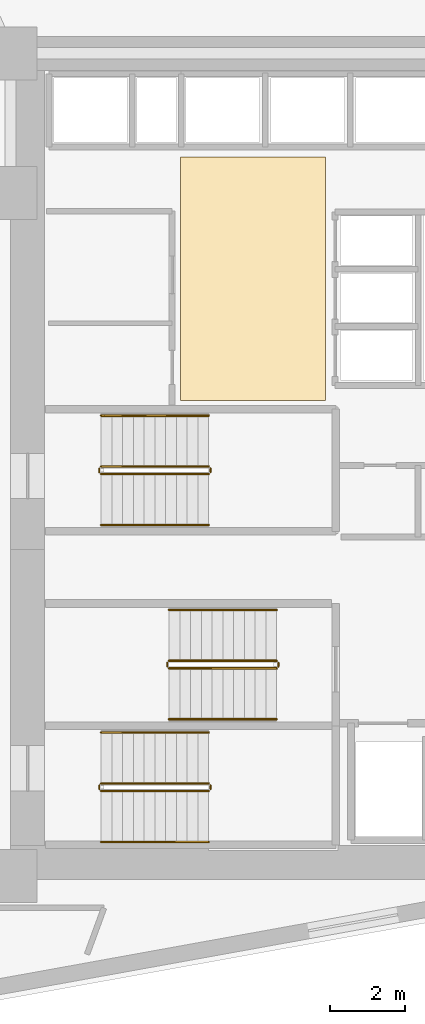
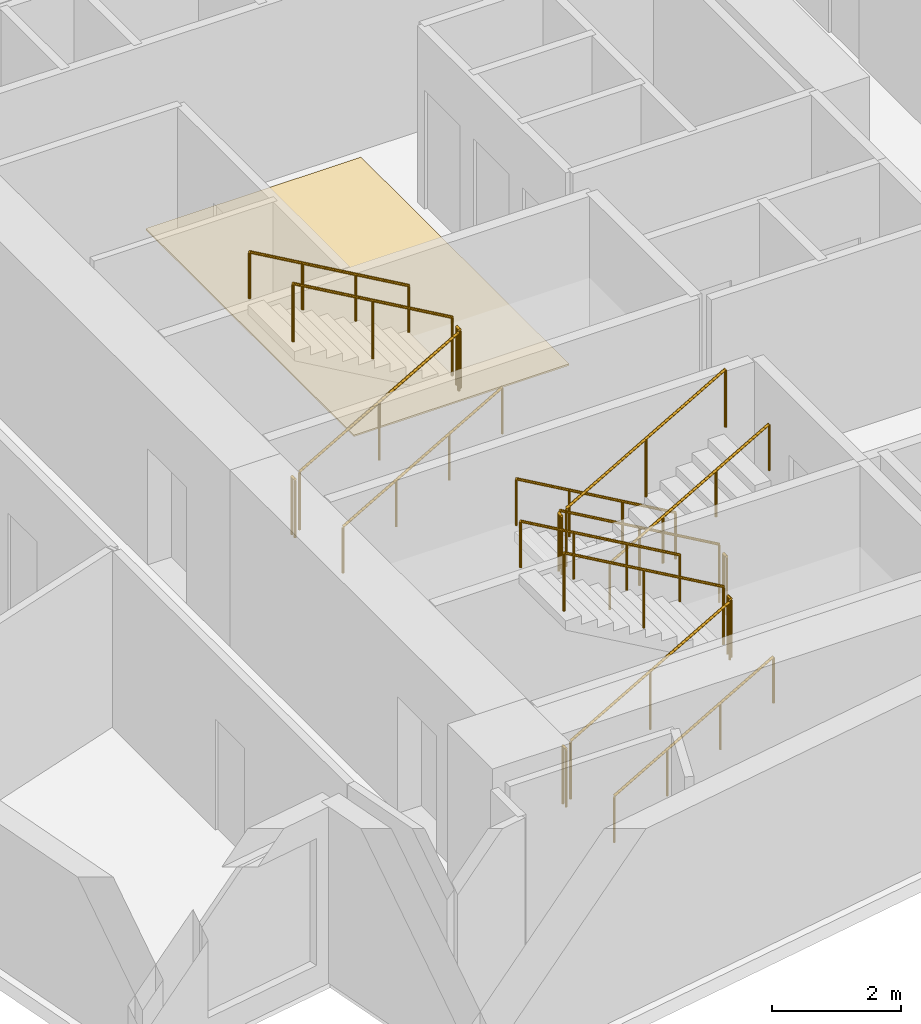
# One storey, part 17 of 18: 18 railings, 1 covering.
"""IFC4 building model written with IfcOpenShell, lengths in metres."""

from ifc_helpers import new_model, si_unit, direction, frame, origin, origin_2d, place, context, subcontext, project, spatial, polyline, circle, outline, extrude, material, layer, layer_set, type_object, element, save


model = new_model("IFC4")

# Units and contexts
model_context = context("Model", 3, precision=1e-05, world=origin(), true_north=direction((0.0, 1.0)))
body_context = subcontext(model_context, "Body", "Model", "MODEL_VIEW")
ifc_project = project(units=[si_unit("LENGTHUNIT", "METRE"), si_unit("AREAUNIT", "SQUARE_METRE"), si_unit("VOLUMEUNIT", "CUBIC_METRE"), si_unit("PLANEANGLEUNIT", "RADIAN"), si_unit("MASSUNIT", "GRAM", prefix="KILO")], contexts=[model_context])

# Site, building, storey
site_placement = place(None, origin())
site = spatial("IfcSite", under=ifc_project, at=site_placement, CompositionType="ELEMENT")
building_placement = place(site_placement, origin())
building = spatial("IfcBuilding", under=site, at=building_placement, Name="Narakoshi Arena Tower", CompositionType="ELEMENT")
storey_placement = place(building_placement, frame((0.0, 0.0, 99.300048828125)))
storey = spatial("IfcBuildingStorey", under=building, at=storey_placement, Name="L26", CompositionType="ELEMENT", Elevation=99.300048828125)

# Covering
ifc_material_1 = material(Name="Honed granite stone paving", Category="masonry")
ifc_layer = layer(ifc_material_1, 0.030029296875)
ifc_layer_set = layer_set([ifc_layer], Name="Honed granite stone paving")
covering_type = type_object("IfcCoveringType", Name="COV-FLR-ST30", PredefinedType="FLOORING", material=ifc_layer_set)
covering_placement = place(storey_placement, origin())
element("IfcCovering", 1, at=covering_placement, inside=storey, type_object=covering_type, Name="L26 Lift Lobby Granite Flooring", PredefinedType="FLOORING", context=body_context, shape_type="SweptSolid", body=[
    extrude(outline(polyline([(76.5, 47.300048828125), (80.35009765625, 47.300048828125), (80.35009765625, 53.75), (76.5, 53.75), (76.5, 47.300048828125)])), origin(), (0.0, 0.0, 1.0), 0.030029296875),
])

# Railings
ifc_material_2 = material(Name="Clear low-iron laminated structural glass", Category="glass")
railing_type_1 = type_object("IfcRailingType", Name="RL-BAL-1100", PredefinedType="BALUSTRADE", material=ifc_material_2)
railing_1_placement = place(storey_placement, frame((74.39990234375, 36.949951171875, 0.16357421875)))
element("IfcRailing", 2, at=railing_1_placement, inside=storey, type_object=railing_type_1, Name="L26 ST1 stair guard 1", PredefinedType="BALUSTRADE", context=body_context, shape_type="SweptSolid", body=[
    extrude(circle(Radius=0.02392578125, at=origin_2d()), frame((0.0, 0.0, 1.09619140625), z_axis=(0.86721270334, 0.0, 0.497937874806), x_axis=(0.0, 1.0, 0.0)), (0.0, 0.0, 1.0), 3.28662109375),
    extrude(circle(Radius=0.02099609375, at=origin_2d()), origin(), (0.0, 0.0, 1.0), 1.072021484375),
    extrude(circle(Radius=0.02099609375, at=origin_2d()), frame((1.425048828125, 0.0, 0.818359375)), (0.0, 0.0, 1.0), 1.072021484375),
    extrude(circle(Radius=0.02099609375, at=origin_2d()), frame((2.85009765625, 0.0, 1.636474609375)), (0.0, 0.0, 1.0), 1.072021484375),
])
railing_2_placement = place(storey_placement, frame((77.300048828125, 37.0, 1.800048828125)))
element("IfcRailing", 3, at=railing_2_placement, inside=storey, type_object=railing_type_1, Name="L26 ST1 stair guard 2", PredefinedType="BALUSTRADE", context=body_context, shape_type="SweptSolid", body=[
    extrude(circle(Radius=0.02392578125, at=origin_2d()), frame((0.0, 0.0, 1.09619140625), z_axis=(0.0, 1.0, 0.0), x_axis=(-1.0, 0.0, 0.0)), (0.0, 0.0, 1.0), 0.10009765625),
    extrude(circle(Radius=0.02099609375, at=origin_2d()), origin(), (0.0, 0.0, 1.0), 1.072021484375),
    extrude(circle(Radius=0.02099609375, at=origin_2d()), frame((0.0, 0.10009765625, 0.0)), (0.0, 0.0, 1.0), 1.072021484375),
])
railing_3_placement = place(storey_placement, frame((77.25, 37.14990234375, 1.963623046875)))
element("IfcRailing", 4, at=railing_3_placement, inside=storey, type_object=railing_type_1, Name="L26 ST1 stair guard 3", PredefinedType="BALUSTRADE", context=body_context, shape_type="SweptSolid", body=[
    extrude(circle(Radius=0.02392578125, at=origin_2d()), frame((0.0, 0.0, 1.09619140625), z_axis=(-0.867244780686, 0.0, 0.497882004468), x_axis=(0.0, -1.0, 0.0)), (0.0, 0.0, 1.0), 3.286376953125),
    extrude(circle(Radius=0.02099609375, at=origin_2d()), origin(), (0.0, 0.0, 1.0), 1.072021484375),
    extrude(circle(Radius=0.02099609375, at=origin_2d()), frame((-1.425048828125, 0.0, 0.818115234375)), (0.0, 0.0, 1.0), 1.072021484375),
    extrude(circle(Radius=0.02099609375, at=origin_2d()), frame((-2.85009765625, 0.0, 1.63623046875)), (0.0, 0.0, 1.0), 1.072021484375),
])
railing_4_placement = place(storey_placement, frame((74.35009765625, 37.0, 0.0)))
element("IfcRailing", 5, at=railing_4_placement, inside=storey, type_object=railing_type_1, Name="L26 ST1 stair guard 4", PredefinedType="BALUSTRADE", context=body_context, shape_type="SweptSolid", body=[
    extrude(circle(Radius=0.02392578125, at=origin_2d()), frame((0.0, 0.0, 1.09619140625), z_axis=(0.0, 1.0, 0.0), x_axis=(-1.0, 0.0, 0.0)), (0.0, 0.0, 1.0), 0.10009765625),
    extrude(circle(Radius=0.02099609375, at=origin_2d()), origin(), (0.0, 0.0, 1.0), 1.072021484375),
    extrude(circle(Radius=0.02099609375, at=origin_2d()), frame((0.0, 0.10009765625, 0.0)), (0.0, 0.0, 1.0), 1.072021484375),
])
railing_5_placement = place(storey_placement, frame((79.050048828125, 40.39990234375, 0.16357421875)))
element("IfcRailing", 6, at=railing_5_placement, inside=storey, type_object=railing_type_1, Name="L26 ST2 stair guard 1", PredefinedType="BALUSTRADE", context=body_context, shape_type="SweptSolid", body=[
    extrude(circle(Radius=0.02392578125, at=origin_2d()), frame((0.0, 0.0, 1.09619140625), z_axis=(-0.86721270334, 0.0, 0.497937874806), x_axis=(0.0, -1.0, 0.0)), (0.0, 0.0, 1.0), 3.28662109375),
    extrude(circle(Radius=0.02099609375, at=origin_2d()), origin(), (0.0, 0.0, 1.0), 1.072021484375),
    extrude(circle(Radius=0.02099609375, at=origin_2d()), frame((-1.425048828125, 0.0, 0.818359375)), (0.0, 0.0, 1.0), 1.072021484375),
    extrude(circle(Radius=0.02099609375, at=origin_2d()), frame((-2.85009765625, 0.0, 1.636474609375)), (0.0, 0.0, 1.0), 1.072021484375),
])
railing_6_placement = place(storey_placement, frame((76.14990234375, 40.35009765625, 1.800048828125)))
element("IfcRailing", 7, at=railing_6_placement, inside=storey, type_object=railing_type_1, Name="L26 ST2 stair guard 2", PredefinedType="BALUSTRADE", context=body_context, shape_type="SweptSolid", body=[
    extrude(circle(Radius=0.02392578125, at=origin_2d()), frame((0.0, 0.0, 1.09619140625), z_axis=(0.0, -1.0, 0.0), x_axis=(1.0, 0.0, 0.0)), (0.0, 0.0, 1.0), 0.10009765625),
    extrude(circle(Radius=0.02099609375, at=origin_2d()), origin(), (0.0, 0.0, 1.0), 1.072021484375),
    extrude(circle(Radius=0.02099609375, at=origin_2d()), frame((0.0, -0.10009765625, 0.0)), (0.0, 0.0, 1.0), 1.072021484375),
])
railing_7_placement = place(storey_placement, frame((76.199951171875, 40.199951171875, 1.963623046875)))
element("IfcRailing", 8, at=railing_7_placement, inside=storey, type_object=railing_type_1, Name="L26 ST2 stair guard 3", PredefinedType="BALUSTRADE", context=body_context, shape_type="SweptSolid", body=[
    extrude(circle(Radius=0.02392578125, at=origin_2d()), frame((0.0, 0.0, 1.09619140625), z_axis=(0.867244780686, 0.0, 0.497882004468), x_axis=(0.0, 1.0, 0.0)), (0.0, 0.0, 1.0), 3.286376953125),
    extrude(circle(Radius=0.02099609375, at=origin_2d()), origin(), (0.0, 0.0, 1.0), 1.072021484375),
    extrude(circle(Radius=0.02099609375, at=origin_2d()), frame((1.425048828125, 0.0, 0.818115234375)), (0.0, 0.0, 1.0), 1.072021484375),
    extrude(circle(Radius=0.02099609375, at=origin_2d()), frame((2.85009765625, 0.0, 1.63623046875)), (0.0, 0.0, 1.0), 1.072021484375),
])
railing_8_placement = place(storey_placement, frame((79.10009765625, 40.35009765625, 0.0)))
element("IfcRailing", 9, at=railing_8_placement, inside=storey, type_object=railing_type_1, Name="L26 ST2 stair guard 4", PredefinedType="BALUSTRADE", context=body_context, shape_type="SweptSolid", body=[
    extrude(circle(Radius=0.02392578125, at=origin_2d()), frame((0.0, 0.0, 1.09619140625), z_axis=(0.0, -1.0, 0.0), x_axis=(1.0, 0.0, 0.0)), (0.0, 0.0, 1.0), 0.10009765625),
    extrude(circle(Radius=0.02099609375, at=origin_2d()), origin(), (0.0, 0.0, 1.0), 1.072021484375),
    extrude(circle(Radius=0.02099609375, at=origin_2d()), frame((0.0, -0.10009765625, 0.0)), (0.0, 0.0, 1.0), 1.072021484375),
])
railing_9_placement = place(storey_placement, frame((74.39990234375, 45.35009765625, 0.16357421875)))
element("IfcRailing", 10, at=railing_9_placement, inside=storey, type_object=railing_type_1, Name="L26 ST3 stair guard 1", PredefinedType="BALUSTRADE", context=body_context, shape_type="SweptSolid", body=[
    extrude(circle(Radius=0.02392578125, at=origin_2d()), frame((0.0, 0.0, 1.09619140625), z_axis=(0.86721270334, 0.0, 0.497937874806), x_axis=(0.0, 1.0, 0.0)), (0.0, 0.0, 1.0), 3.28662109375),
    extrude(circle(Radius=0.02099609375, at=origin_2d()), origin(), (0.0, 0.0, 1.0), 1.072021484375),
    extrude(circle(Radius=0.02099609375, at=origin_2d()), frame((1.425048828125, 0.0, 0.818359375)), (0.0, 0.0, 1.0), 1.072021484375),
    extrude(circle(Radius=0.02099609375, at=origin_2d()), frame((2.85009765625, 0.0, 1.636474609375)), (0.0, 0.0, 1.0), 1.072021484375),
])
railing_10_placement = place(storey_placement, frame((77.300048828125, 45.39990234375, 1.800048828125)))
element("IfcRailing", 11, at=railing_10_placement, inside=storey, type_object=railing_type_1, Name="L26 ST3 stair guard 2", PredefinedType="BALUSTRADE", context=body_context, shape_type="SweptSolid", body=[
    extrude(circle(Radius=0.02392578125, at=origin_2d()), frame((0.0, 0.0, 1.09619140625), z_axis=(0.0, 1.0, 0.0), x_axis=(-1.0, 0.0, 0.0)), (0.0, 0.0, 1.0), 0.10009765625),
    extrude(circle(Radius=0.02099609375, at=origin_2d()), origin(), (0.0, 0.0, 1.0), 1.072021484375),
    extrude(circle(Radius=0.02099609375, at=origin_2d()), frame((0.0, 0.10009765625, 0.0)), (0.0, 0.0, 1.0), 1.072021484375),
])
railing_11_placement = place(storey_placement, frame((77.25, 45.550048828125, 1.963623046875)))
element("IfcRailing", 12, at=railing_11_placement, inside=storey, type_object=railing_type_1, Name="L26 ST3 stair guard 3", PredefinedType="BALUSTRADE", context=body_context, shape_type="SweptSolid", body=[
    extrude(circle(Radius=0.02392578125, at=origin_2d()), frame((0.0, 0.0, 1.09619140625), z_axis=(-0.867244780686, 0.0, 0.497882004468), x_axis=(0.0, -1.0, 0.0)), (0.0, 0.0, 1.0), 3.286376953125),
    extrude(circle(Radius=0.02099609375, at=origin_2d()), origin(), (0.0, 0.0, 1.0), 1.072021484375),
    extrude(circle(Radius=0.02099609375, at=origin_2d()), frame((-1.425048828125, 0.0, 0.818115234375)), (0.0, 0.0, 1.0), 1.072021484375),
    extrude(circle(Radius=0.02099609375, at=origin_2d()), frame((-2.85009765625, 0.0, 1.63623046875)), (0.0, 0.0, 1.0), 1.072021484375),
])
railing_12_placement = place(storey_placement, frame((74.35009765625, 45.39990234375, 0.0)))
element("IfcRailing", 13, at=railing_12_placement, inside=storey, type_object=railing_type_1, Name="L26 ST3 stair guard 4", PredefinedType="BALUSTRADE", context=body_context, shape_type="SweptSolid", body=[
    extrude(circle(Radius=0.02392578125, at=origin_2d()), frame((0.0, 0.0, 1.09619140625), z_axis=(0.0, 1.0, 0.0), x_axis=(-1.0, 0.0, 0.0)), (0.0, 0.0, 1.0), 0.10009765625),
    extrude(circle(Radius=0.02099609375, at=origin_2d()), origin(), (0.0, 0.0, 1.0), 1.072021484375),
    extrude(circle(Radius=0.02099609375, at=origin_2d()), frame((0.0, 0.10009765625, 0.0)), (0.0, 0.0, 1.0), 1.072021484375),
])
ifc_material_3 = material(Name="Brushed bronze stainless steel", Category="steel")
railing_type_2 = type_object("IfcRailingType", Name="RL-HND-900", PredefinedType="HANDRAIL", material=ifc_material_3)
railing_13_placement = place(storey_placement, frame((74.39990234375, 35.60009765625, 0.16357421875)))
element("IfcRailing", 14, at=railing_13_placement, inside=storey, type_object=railing_type_2, Name="L26 ST1 stair handrail 1", PredefinedType="HANDRAIL", context=body_context, shape_type="SweptSolid", body=[
    extrude(circle(Radius=0.02392578125, at=origin_2d()), frame((0.0, 0.0, 0.8759765625), z_axis=(0.86721270334, 0.0, 0.497937874806), x_axis=(0.0, 1.0, 0.0)), (0.0, 0.0, 1.0), 3.28662109375),
    extrude(circle(Radius=0.02099609375, at=origin_2d()), origin(), (0.0, 0.0, 1.0), 0.851806640625),
    extrude(circle(Radius=0.02099609375, at=origin_2d()), frame((0.949951171875, 0.0, 0.54541015625)), (0.0, 0.0, 1.0), 0.851806640625),
    extrude(circle(Radius=0.02099609375, at=origin_2d()), frame((1.900146484375, 0.0, 1.091064453125)), (0.0, 0.0, 1.0), 0.851806640625),
    extrude(circle(Radius=0.02099609375, at=origin_2d()), frame((2.85009765625, 0.0, 1.636474609375)), (0.0, 0.0, 1.0), 0.851806640625),
])
railing_14_placement = place(storey_placement, frame((77.25, 38.5, 1.963623046875)))
element("IfcRailing", 15, at=railing_14_placement, inside=storey, type_object=railing_type_2, Name="L26 ST1 stair handrail 2", PredefinedType="HANDRAIL", context=body_context, shape_type="SweptSolid", body=[
    extrude(circle(Radius=0.02392578125, at=origin_2d()), frame((0.0, 0.0, 0.8759765625), z_axis=(-0.867244780686, 0.0, 0.497882004468), x_axis=(0.0, -1.0, 0.0)), (0.0, 0.0, 1.0), 3.286376953125),
    extrude(circle(Radius=0.02099609375, at=origin_2d()), origin(), (0.0, 0.0, 1.0), 0.851806640625),
    extrude(circle(Radius=0.02099609375, at=origin_2d()), frame((-0.949951171875, 0.0, 0.54541015625)), (0.0, 0.0, 1.0), 0.851806640625),
    extrude(circle(Radius=0.02099609375, at=origin_2d()), frame((-1.900146484375, 0.0, 1.0908203125)), (0.0, 0.0, 1.0), 0.851806640625),
    extrude(circle(Radius=0.02099609375, at=origin_2d()), frame((-2.85009765625, 0.0, 1.63623046875)), (0.0, 0.0, 1.0), 0.851806640625),
])
railing_15_placement = place(storey_placement, frame((79.050048828125, 41.75, 0.16357421875)))
element("IfcRailing", 16, at=railing_15_placement, inside=storey, type_object=railing_type_2, Name="L26 ST2 stair handrail 1", PredefinedType="HANDRAIL", context=body_context, shape_type="SweptSolid", body=[
    extrude(circle(Radius=0.02392578125, at=origin_2d()), frame((0.0, 0.0, 0.8759765625), z_axis=(-0.86721270334, 0.0, 0.497937874806), x_axis=(0.0, -1.0, 0.0)), (0.0, 0.0, 1.0), 3.28662109375),
    extrude(circle(Radius=0.02099609375, at=origin_2d()), origin(), (0.0, 0.0, 1.0), 0.851806640625),
    extrude(circle(Radius=0.02099609375, at=origin_2d()), frame((-0.949951171875, 0.0, 0.54541015625)), (0.0, 0.0, 1.0), 0.851806640625),
    extrude(circle(Radius=0.02099609375, at=origin_2d()), frame((-1.900146484375, 0.0, 1.091064453125)), (0.0, 0.0, 1.0), 0.851806640625),
    extrude(circle(Radius=0.02099609375, at=origin_2d()), frame((-2.85009765625, 0.0, 1.636474609375)), (0.0, 0.0, 1.0), 0.851806640625),
])
railing_16_placement = place(storey_placement, frame((76.199951171875, 38.85009765625, 1.963623046875)))
element("IfcRailing", 17, at=railing_16_placement, inside=storey, type_object=railing_type_2, Name="L26 ST2 stair handrail 2", PredefinedType="HANDRAIL", context=body_context, shape_type="SweptSolid", body=[
    extrude(circle(Radius=0.02392578125, at=origin_2d()), frame((0.0, 0.0, 0.8759765625), z_axis=(0.867244780686, 0.0, 0.497882004468), x_axis=(0.0, 1.0, 0.0)), (0.0, 0.0, 1.0), 3.286376953125),
    extrude(circle(Radius=0.02099609375, at=origin_2d()), origin(), (0.0, 0.0, 1.0), 0.851806640625),
    extrude(circle(Radius=0.02099609375, at=origin_2d()), frame((0.949951171875, 0.0, 0.54541015625)), (0.0, 0.0, 1.0), 0.851806640625),
    extrude(circle(Radius=0.02099609375, at=origin_2d()), frame((1.900146484375, 0.0, 1.0908203125)), (0.0, 0.0, 1.0), 0.851806640625),
    extrude(circle(Radius=0.02099609375, at=origin_2d()), frame((2.85009765625, 0.0, 1.63623046875)), (0.0, 0.0, 1.0), 0.851806640625),
])
railing_17_placement = place(storey_placement, frame((74.39990234375, 44.0, 0.16357421875)))
element("IfcRailing", 18, at=railing_17_placement, inside=storey, type_object=railing_type_2, Name="L26 ST3 stair handrail 1", PredefinedType="HANDRAIL", context=body_context, shape_type="SweptSolid", body=[
    extrude(circle(Radius=0.02392578125, at=origin_2d()), frame((0.0, 0.0, 0.8759765625), z_axis=(0.86721270334, 0.0, 0.497937874806), x_axis=(0.0, 1.0, 0.0)), (0.0, 0.0, 1.0), 3.28662109375),
    extrude(circle(Radius=0.02099609375, at=origin_2d()), origin(), (0.0, 0.0, 1.0), 0.851806640625),
    extrude(circle(Radius=0.02099609375, at=origin_2d()), frame((0.949951171875, 0.0, 0.54541015625)), (0.0, 0.0, 1.0), 0.851806640625),
    extrude(circle(Radius=0.02099609375, at=origin_2d()), frame((1.900146484375, 0.0, 1.091064453125)), (0.0, 0.0, 1.0), 0.851806640625),
    extrude(circle(Radius=0.02099609375, at=origin_2d()), frame((2.85009765625, 0.0, 1.636474609375)), (0.0, 0.0, 1.0), 0.851806640625),
])
railing_18_placement = place(storey_placement, frame((77.25, 46.89990234375, 1.963623046875)))
element("IfcRailing", 19, at=railing_18_placement, inside=storey, type_object=railing_type_2, Name="L26 ST3 stair handrail 2", PredefinedType="HANDRAIL", context=body_context, shape_type="SweptSolid", body=[
    extrude(circle(Radius=0.02392578125, at=origin_2d()), frame((0.0, 0.0, 0.8759765625), z_axis=(-0.867244780686, 0.0, 0.497882004468), x_axis=(0.0, -1.0, 0.0)), (0.0, 0.0, 1.0), 3.286376953125),
    extrude(circle(Radius=0.02099609375, at=origin_2d()), origin(), (0.0, 0.0, 1.0), 0.851806640625),
    extrude(circle(Radius=0.02099609375, at=origin_2d()), frame((-0.949951171875, 0.0, 0.54541015625)), (0.0, 0.0, 1.0), 0.851806640625),
    extrude(circle(Radius=0.02099609375, at=origin_2d()), frame((-1.900146484375, 0.0, 1.0908203125)), (0.0, 0.0, 1.0), 0.851806640625),
    extrude(circle(Radius=0.02099609375, at=origin_2d()), frame((-2.85009765625, 0.0, 1.63623046875)), (0.0, 0.0, 1.0), 0.851806640625),
])

save(model, "model.ifc")
